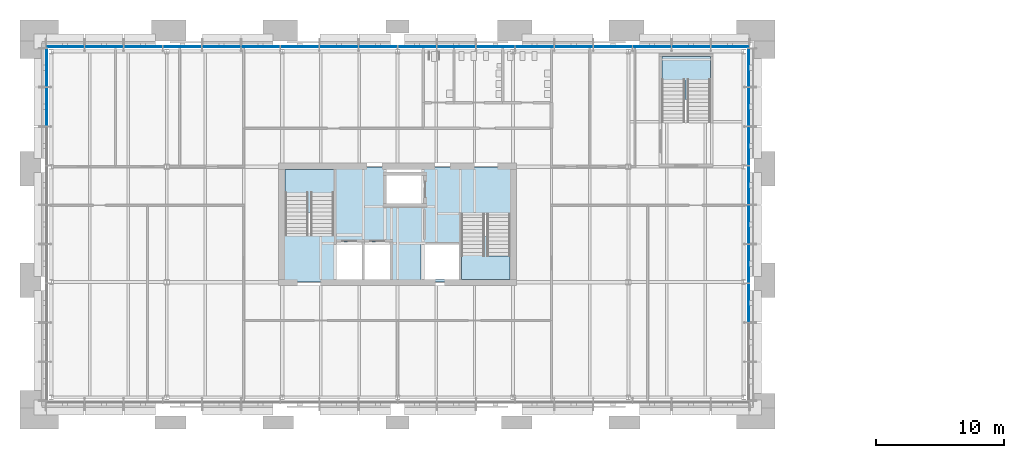
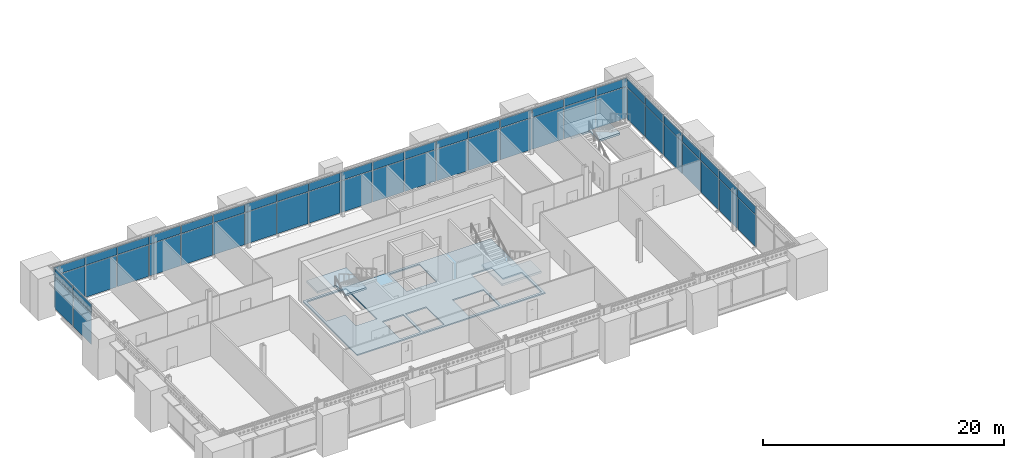
# One storey, part 18 of 37: 54 plates, 4 slabs, 6 elements without a shape of their own.
"""IFC4 building model written with IfcOpenShell, lengths in metres."""

from ifc_helpers import new_model, si_unit, direction, frame, origin, origin_2d, place, context, subcontext, project, spatial, polyline, rectangle, outline, extrude, material, layer, layer_set, type_object, element, aggregate, save


model = new_model("IFC4")

# Units and contexts
model_context = context("Model", 3, precision=1e-05, world=origin(), true_north=direction((0.0, 1.0)))
body_context = subcontext(model_context, "Body", "Model", "MODEL_VIEW")
ifc_project = project(units=[si_unit("LENGTHUNIT", "METRE"), si_unit("AREAUNIT", "SQUARE_METRE"), si_unit("VOLUMEUNIT", "CUBIC_METRE"), si_unit("PLANEANGLEUNIT", "RADIAN"), si_unit("MASSUNIT", "GRAM", prefix="KILO")], contexts=[model_context])

# Site, building, storey
site_placement = place(None, origin())
site = spatial("IfcSite", under=ifc_project, at=site_placement, CompositionType="ELEMENT")
building_placement = place(site_placement, origin())
building = spatial("IfcBuilding", under=site, at=building_placement, Name="Baradari Gate Terminus", CompositionType="ELEMENT")
storey_placement = place(building_placement, frame((0.0, 0.0, 24.300048828125)))
storey = spatial("IfcBuildingStorey", under=building, at=storey_placement, Name="L05", CompositionType="ELEMENT", Elevation=24.300048828125)

# Slab
ifc_material_1 = material(Name="Concrete C35/45", Category="concrete")
ifc_layer_1 = layer(ifc_material_1, 0.1298828125)
ifc_layer_set_1 = layer_set([ifc_layer_1], Name="Concrete C35/45")
slab_type_1 = type_object("IfcSlabType", Name="Composite floor slab SL1 130", PredefinedType="FLOOR", material=ifc_layer_set_1)
slab_1_placement = place(storey_placement, frame((0.0, 0.0, -0.130126953125)))
element("IfcSlab", 1, at=slab_1_placement, inside=storey, type_object=slab_type_1, Name="Core floor CT", PredefinedType="FLOOR", context=body_context, shape_type="SweptSolid", body=[
    extrude(outline(polyline([(27.0, 135.0), (27.0, 126.0), (45.0, 126.0), (45.0, 135.0), (27.0, 135.0)]), holes=[polyline([(44.77490234375, 126.22509765625), (44.77490234375, 129.5048828125), (42.97509765625, 129.5048828125), (42.97509765625, 131.324951171875), (40.97509765625, 131.324951171875), (40.97509765625, 126.22509765625), (44.77490234375, 126.22509765625)]), polyline([(40.77490234375, 128.925048828125), (37.824951171875, 128.925048828125), (37.824951171875, 126.22509765625), (40.77490234375, 126.22509765625), (40.77490234375, 128.925048828125)]), polyline([(38.02490234375, 131.875), (38.02490234375, 134.77490234375), (35.125, 134.77490234375), (35.125, 131.875), (38.02490234375, 131.875)]), polyline([(35.425048828125, 129.125), (33.425048828125, 129.125), (33.425048828125, 126.22509765625), (35.425048828125, 126.22509765625), (35.425048828125, 129.125)]), polyline([(31.22509765625, 129.125), (31.22509765625, 126.22509765625), (33.22509765625, 126.22509765625), (33.22509765625, 129.125), (31.22509765625, 129.125)]), polyline([(27.22509765625, 134.77490234375), (27.22509765625, 131.4951171875), (29.02490234375, 131.4951171875), (29.02490234375, 129.675048828125), (31.02490234375, 129.675048828125), (31.02490234375, 134.77490234375), (27.22509765625, 134.77490234375)])]), origin(), (0.0, 0.0, 1.0), 0.130126953125),
])

# Curtain wall, plates
ifc_material_2 = material(Name="Aluminium 6063-T6", Category="aluminium")
curtain_wall_type = type_object("IfcCurtainWallType", Name="Curtain wall CW-1 block unitised, zone L02-L05", PredefinedType="NOTDEFINED", material=ifc_material_2)
curtain_wall_1_placement = place(storey_placement, origin())
curtain_wall_1 = element("IfcCurtainWall", 2, at=curtain_wall_1_placement, inside=storey, type_object=curtain_wall_type, Name="Curtain wall CW-1 Operations block N face L05", PredefinedType="NOTDEFINED")
ifc_material_3 = material(Name="Insulating glass unit", Category="glass")
ifc_layer_2 = layer(ifc_material_3, 0.030029296875)
ifc_layer_set_2 = layer_set([ifc_layer_2], Name="Insulating glass unit")
plate_type_1 = type_object("IfcPlateType", Name="Curtain wall glazing unit CP-1 30", PredefinedType="CURTAIN_PANEL", material=ifc_layer_set_2)
plate_1_placement = place(storey_placement, frame((10.072265625, 144.3701171875, 0.06494140625), z_axis=(0.0, 0.0, 1.0), x_axis=(1.0, 0.0, 0.0)))
plate_1 = element("IfcPlate", 3, at=plate_1_placement, type_object=plate_type_1, Name="CW-1 panel 1.1", PredefinedType="CURTAIN_PANEL", context=body_context, shape_type="SweptSolid", body=[
    extrude(rectangle(XDim=2.954833984375, YDim=0.030029296875, at=origin_2d()), origin(), (0.0, 0.0, 1.0), 3.202392578125),
])
plate_2_placement = place(storey_placement, frame((13.1083984375, 144.3701171875, 0.06494140625), z_axis=(0.0, 0.0, 1.0), x_axis=(1.0, 0.0, 0.0)))
plate_2 = element("IfcPlate", 4, at=plate_2_placement, type_object=plate_type_1, Name="CW-1 panel 2.1", PredefinedType="CURTAIN_PANEL", context=body_context, shape_type="SweptSolid", body=[
    extrude(rectangle(XDim=2.9873046875, YDim=0.030029296875, at=origin_2d()), origin(), (0.0, 0.0, 1.0), 3.202392578125),
])
plate_3_placement = place(storey_placement, frame((16.16064453125, 144.3701171875, 0.06494140625), z_axis=(0.0, 0.0, 1.0), x_axis=(1.0, 0.0, 0.0)))
plate_3 = element("IfcPlate", 5, at=plate_3_placement, type_object=plate_type_1, Name="CW-1 panel 3.1", PredefinedType="CURTAIN_PANEL", context=body_context, shape_type="SweptSolid", body=[
    extrude(rectangle(XDim=2.9873046875, YDim=0.030029296875, at=origin_2d()), origin(), (0.0, 0.0, 1.0), 3.202392578125),
])
plate_4_placement = place(storey_placement, frame((19.212890625, 144.3701171875, 0.06494140625), z_axis=(0.0, 0.0, 1.0), x_axis=(1.0, 0.0, 0.0)))
plate_4 = element("IfcPlate", 6, at=plate_4_placement, type_object=plate_type_1, Name="CW-1 panel 4.1", PredefinedType="CURTAIN_PANEL", context=body_context, shape_type="SweptSolid", body=[
    extrude(rectangle(XDim=2.9873046875, YDim=0.030029296875, at=origin_2d()), origin(), (0.0, 0.0, 1.0), 3.202392578125),
])
plate_5_placement = place(storey_placement, frame((22.264892578125, 144.3701171875, 0.06494140625), z_axis=(0.0, 0.0, 1.0), x_axis=(1.0, 0.0, 0.0)))
plate_5 = element("IfcPlate", 7, at=plate_5_placement, type_object=plate_type_1, Name="CW-1 panel 5.1", PredefinedType="CURTAIN_PANEL", context=body_context, shape_type="SweptSolid", body=[
    extrude(rectangle(XDim=2.9873046875, YDim=0.030029296875, at=origin_2d()), origin(), (0.0, 0.0, 1.0), 3.202392578125),
])
plate_6_placement = place(storey_placement, frame((25.317138671875, 144.3701171875, 0.06494140625), z_axis=(0.0, 0.0, 1.0), x_axis=(1.0, 0.0, 0.0)))
plate_6 = element("IfcPlate", 8, at=plate_6_placement, type_object=plate_type_1, Name="CW-1 panel 6.1", PredefinedType="CURTAIN_PANEL", context=body_context, shape_type="SweptSolid", body=[
    extrude(rectangle(XDim=2.9873046875, YDim=0.030029296875, at=origin_2d()), origin(), (0.0, 0.0, 1.0), 3.202392578125),
])
plate_7_placement = place(storey_placement, frame((28.369384765625, 144.3701171875, 0.06494140625), z_axis=(0.0, 0.0, 1.0), x_axis=(1.0, 0.0, 0.0)))
plate_7 = element("IfcPlate", 9, at=plate_7_placement, type_object=plate_type_1, Name="CW-1 panel 7.1", PredefinedType="CURTAIN_PANEL", context=body_context, shape_type="SweptSolid", body=[
    extrude(rectangle(XDim=2.9873046875, YDim=0.030029296875, at=origin_2d()), origin(), (0.0, 0.0, 1.0), 3.202392578125),
])
plate_8_placement = place(storey_placement, frame((31.421630859375, 144.3701171875, 0.06494140625), z_axis=(0.0, 0.0, 1.0), x_axis=(1.0, 0.0, 0.0)))
plate_8 = element("IfcPlate", 10, at=plate_8_placement, type_object=plate_type_1, Name="CW-1 panel 8.1", PredefinedType="CURTAIN_PANEL", context=body_context, shape_type="SweptSolid", body=[
    extrude(rectangle(XDim=2.9873046875, YDim=0.030029296875, at=origin_2d()), origin(), (0.0, 0.0, 1.0), 3.202392578125),
])
plate_9_placement = place(storey_placement, frame((34.473876953125, 144.3701171875, 0.06494140625), z_axis=(0.0, 0.0, 1.0), x_axis=(1.0, 0.0, 0.0)))
plate_9 = element("IfcPlate", 11, at=plate_9_placement, type_object=plate_type_1, Name="CW-1 panel 9.1", PredefinedType="CURTAIN_PANEL", context=body_context, shape_type="SweptSolid", body=[
    extrude(rectangle(XDim=2.9873046875, YDim=0.030029296875, at=origin_2d()), origin(), (0.0, 0.0, 1.0), 3.202392578125),
])
plate_10_placement = place(storey_placement, frame((37.526123046875, 144.3701171875, 0.06494140625), z_axis=(0.0, 0.0, 1.0), x_axis=(1.0, 0.0, 0.0)))
plate_10 = element("IfcPlate", 12, at=plate_10_placement, type_object=plate_type_1, Name="CW-1 panel 10.1", PredefinedType="CURTAIN_PANEL", context=body_context, shape_type="SweptSolid", body=[
    extrude(rectangle(XDim=2.9873046875, YDim=0.030029296875, at=origin_2d()), origin(), (0.0, 0.0, 1.0), 3.202392578125),
])
plate_11_placement = place(storey_placement, frame((40.578369140625, 144.3701171875, 0.06494140625), z_axis=(0.0, 0.0, 1.0), x_axis=(1.0, 0.0, 0.0)))
plate_11 = element("IfcPlate", 13, at=plate_11_placement, type_object=plate_type_1, Name="CW-1 panel 11.1", PredefinedType="CURTAIN_PANEL", context=body_context, shape_type="SweptSolid", body=[
    extrude(rectangle(XDim=2.9873046875, YDim=0.030029296875, at=origin_2d()), origin(), (0.0, 0.0, 1.0), 3.202392578125),
])
plate_12_placement = place(storey_placement, frame((43.630615234375, 144.3701171875, 0.06494140625), z_axis=(0.0, 0.0, 1.0), x_axis=(1.0, 0.0, 0.0)))
plate_12 = element("IfcPlate", 14, at=plate_12_placement, type_object=plate_type_1, Name="CW-1 panel 12.1", PredefinedType="CURTAIN_PANEL", context=body_context, shape_type="SweptSolid", body=[
    extrude(rectangle(XDim=2.9873046875, YDim=0.030029296875, at=origin_2d()), origin(), (0.0, 0.0, 1.0), 3.202392578125),
])
plate_13_placement = place(storey_placement, frame((46.682861328125, 144.3701171875, 0.06494140625), z_axis=(0.0, 0.0, 1.0), x_axis=(1.0, 0.0, 0.0)))
plate_13 = element("IfcPlate", 15, at=plate_13_placement, type_object=plate_type_1, Name="CW-1 panel 13.1", PredefinedType="CURTAIN_PANEL", context=body_context, shape_type="SweptSolid", body=[
    extrude(rectangle(XDim=2.9873046875, YDim=0.030029296875, at=origin_2d()), origin(), (0.0, 0.0, 1.0), 3.202392578125),
])
plate_14_placement = place(storey_placement, frame((49.735107421875, 144.3701171875, 0.06494140625), z_axis=(0.0, 0.0, 1.0), x_axis=(1.0, 0.0, 0.0)))
plate_14 = element("IfcPlate", 16, at=plate_14_placement, type_object=plate_type_1, Name="CW-1 panel 14.1", PredefinedType="CURTAIN_PANEL", context=body_context, shape_type="SweptSolid", body=[
    extrude(rectangle(XDim=2.9873046875, YDim=0.030029296875, at=origin_2d()), origin(), (0.0, 0.0, 1.0), 3.202392578125),
])
plate_15_placement = place(storey_placement, frame((52.787109375, 144.3701171875, 0.06494140625), z_axis=(0.0, 0.0, 1.0), x_axis=(1.0, 0.0, 0.0)))
plate_15 = element("IfcPlate", 17, at=plate_15_placement, type_object=plate_type_1, Name="CW-1 panel 15.1", PredefinedType="CURTAIN_PANEL", context=body_context, shape_type="SweptSolid", body=[
    extrude(rectangle(XDim=2.9873046875, YDim=0.030029296875, at=origin_2d()), origin(), (0.0, 0.0, 1.0), 3.202392578125),
])
plate_16_placement = place(storey_placement, frame((55.83935546875, 144.3701171875, 0.06494140625), z_axis=(0.0, 0.0, 1.0), x_axis=(1.0, 0.0, 0.0)))
plate_16 = element("IfcPlate", 18, at=plate_16_placement, type_object=plate_type_1, Name="CW-1 panel 16.1", PredefinedType="CURTAIN_PANEL", context=body_context, shape_type="SweptSolid", body=[
    extrude(rectangle(XDim=2.9873046875, YDim=0.030029296875, at=origin_2d()), origin(), (0.0, 0.0, 1.0), 3.202392578125),
])
plate_17_placement = place(storey_placement, frame((58.8916015625, 144.3701171875, 0.06494140625), z_axis=(0.0, 0.0, 1.0), x_axis=(1.0, 0.0, 0.0)))
plate_17 = element("IfcPlate", 19, at=plate_17_placement, type_object=plate_type_1, Name="CW-1 panel 17.1", PredefinedType="CURTAIN_PANEL", context=body_context, shape_type="SweptSolid", body=[
    extrude(rectangle(XDim=2.9873046875, YDim=0.030029296875, at=origin_2d()), origin(), (0.0, 0.0, 1.0), 3.202392578125),
])
plate_18_placement = place(storey_placement, frame((61.927734375, 144.3701171875, 0.06494140625), z_axis=(0.0, 0.0, 1.0), x_axis=(1.0, 0.0, 0.0)))
plate_18 = element("IfcPlate", 20, at=plate_18_placement, type_object=plate_type_1, Name="CW-1 panel 18.1", PredefinedType="CURTAIN_PANEL", context=body_context, shape_type="SweptSolid", body=[
    extrude(rectangle(XDim=2.954833984375, YDim=0.030029296875, at=origin_2d()), origin(), (0.0, 0.0, 1.0), 3.202392578125),
])

curtain_wall_2_placement = place(storey_placement, origin())
curtain_wall_2 = element("IfcCurtainWall", 21, at=curtain_wall_2_placement, inside=storey, type_object=curtain_wall_type, Name="Curtain wall CW-1 Operations block W face L05", PredefinedType="NOTDEFINED")
plate_19_placement = place(storey_placement, frame((8.6298828125, 139.679931640625, 0.06494140625), z_axis=(0.0, 0.0, 1.0), x_axis=(0.0, 1.0, 0.0)))
plate_19 = element("IfcPlate", 22, at=plate_19_placement, type_object=plate_type_1, Name="CW-1 panel 8.1", PredefinedType="CURTAIN_PANEL", context=body_context, shape_type="SweptSolid", body=[
    extrude(rectangle(XDim=2.9951171875, YDim=0.030029296875, at=origin_2d()), origin(), (0.0, 0.0, 1.0), 3.202392578125),
])
plate_20_placement = place(storey_placement, frame((8.6298828125, 142.7236328125, 0.06494140625), z_axis=(0.0, 0.0, 1.0), x_axis=(0.0, 1.0, 0.0)))
plate_20 = element("IfcPlate", 23, at=plate_20_placement, type_object=plate_type_1, Name="CW-1 panel 9.1", PredefinedType="CURTAIN_PANEL", context=body_context, shape_type="SweptSolid", body=[
    extrude(rectangle(XDim=2.96240234375, YDim=0.030029296875, at=origin_2d()), origin(), (0.0, 0.0, 1.0), 3.202392578125),
])

curtain_wall_3_placement = place(storey_placement, origin())
curtain_wall_3 = element("IfcCurtainWall", 24, at=curtain_wall_3_placement, inside=storey, type_object=curtain_wall_type, Name="Curtain wall CW-1 Operations block E face L05", PredefinedType="NOTDEFINED")
plate_21_placement = place(storey_placement, frame((63.3701171875, 124.3798828125, 0.06494140625), z_axis=(0.0, 0.0, 1.0), x_axis=(0.0, 1.0, 0.0)))
plate_21 = element("IfcPlate", 25, at=plate_21_placement, type_object=plate_type_1, Name="CW-1 panel 3.1", PredefinedType="CURTAIN_PANEL", context=body_context, shape_type="SweptSolid", body=[
    extrude(rectangle(XDim=2.9951171875, YDim=0.030029296875, at=origin_2d()), origin(), (0.0, 0.0, 1.0), 3.202392578125),
])
plate_22_placement = place(storey_placement, frame((63.3701171875, 127.43994140625, 0.06494140625), z_axis=(0.0, 0.0, 1.0), x_axis=(0.0, 1.0, 0.0)))
plate_22 = element("IfcPlate", 26, at=plate_22_placement, type_object=plate_type_1, Name="CW-1 panel 4.1", PredefinedType="CURTAIN_PANEL", context=body_context, shape_type="SweptSolid", body=[
    extrude(rectangle(XDim=2.9951171875, YDim=0.030029296875, at=origin_2d()), origin(), (0.0, 0.0, 1.0), 3.202392578125),
])
plate_23_placement = place(storey_placement, frame((63.3701171875, 130.5, 0.06494140625), z_axis=(0.0, 0.0, 1.0), x_axis=(0.0, 1.0, 0.0)))
plate_23 = element("IfcPlate", 27, at=plate_23_placement, type_object=plate_type_1, Name="CW-1 panel 5.1", PredefinedType="CURTAIN_PANEL", context=body_context, shape_type="SweptSolid", body=[
    extrude(rectangle(XDim=2.9951171875, YDim=0.030029296875, at=origin_2d()), origin(), (0.0, 0.0, 1.0), 3.202392578125),
])
plate_24_placement = place(storey_placement, frame((63.3701171875, 133.56005859375, 0.06494140625), z_axis=(0.0, 0.0, 1.0), x_axis=(0.0, 1.0, 0.0)))
plate_24 = element("IfcPlate", 28, at=plate_24_placement, type_object=plate_type_1, Name="CW-1 panel 6.1", PredefinedType="CURTAIN_PANEL", context=body_context, shape_type="SweptSolid", body=[
    extrude(rectangle(XDim=2.9951171875, YDim=0.030029296875, at=origin_2d()), origin(), (0.0, 0.0, 1.0), 3.202392578125),
])
plate_25_placement = place(storey_placement, frame((63.3701171875, 136.6201171875, 0.06494140625), z_axis=(0.0, 0.0, 1.0), x_axis=(0.0, 1.0, 0.0)))
plate_25 = element("IfcPlate", 29, at=plate_25_placement, type_object=plate_type_1, Name="CW-1 panel 7.1", PredefinedType="CURTAIN_PANEL", context=body_context, shape_type="SweptSolid", body=[
    extrude(rectangle(XDim=2.9951171875, YDim=0.030029296875, at=origin_2d()), origin(), (0.0, 0.0, 1.0), 3.202392578125),
])
plate_26_placement = place(storey_placement, frame((63.3701171875, 139.679931640625, 0.06494140625), z_axis=(0.0, 0.0, 1.0), x_axis=(0.0, 1.0, 0.0)))
plate_26 = element("IfcPlate", 30, at=plate_26_placement, type_object=plate_type_1, Name="CW-1 panel 8.1", PredefinedType="CURTAIN_PANEL", context=body_context, shape_type="SweptSolid", body=[
    extrude(rectangle(XDim=2.9951171875, YDim=0.030029296875, at=origin_2d()), origin(), (0.0, 0.0, 1.0), 3.202392578125),
])
plate_27_placement = place(storey_placement, frame((63.3701171875, 142.7236328125, 0.06494140625), z_axis=(0.0, 0.0, 1.0), x_axis=(0.0, 1.0, 0.0)))
plate_27 = element("IfcPlate", 31, at=plate_27_placement, type_object=plate_type_1, Name="CW-1 panel 9.1", PredefinedType="CURTAIN_PANEL", context=body_context, shape_type="SweptSolid", body=[
    extrude(rectangle(XDim=2.96240234375, YDim=0.030029296875, at=origin_2d()), origin(), (0.0, 0.0, 1.0), 3.202392578125),
])

# Plate
ifc_material_4 = material(Name="Back-painted glass", Category="glass")
ifc_layer_3 = layer(ifc_material_4, 0.070068359375)
ifc_layer_set_3 = layer_set([ifc_layer_3], Name="Back-painted glass")
plate_type_2 = type_object("IfcPlateType", Name="Curtain wall spandrel panel CP-S1 70", PredefinedType="CURTAIN_PANEL", material=ifc_layer_set_3)
plate_28_placement = place(storey_placement, frame((10.072265625, 144.3701171875, 3.33251953125), z_axis=(0.0, 0.0, 1.0), x_axis=(1.0, 0.0, 0.0)))
plate_28 = element("IfcPlate", 32, at=plate_28_placement, type_object=plate_type_2, Name="CW-1 spandrel panel 1.2", PredefinedType="CURTAIN_PANEL", context=body_context, shape_type="SweptSolid", body=[
    extrude(rectangle(XDim=2.954833984375, YDim=0.070068359375, at=origin_2d()), origin(), (0.0, 0.0, 1.0), 0.802490234375),
])

plate_29_placement = place(storey_placement, frame((13.1083984375, 144.3701171875, 3.33251953125), z_axis=(0.0, 0.0, 1.0), x_axis=(1.0, 0.0, 0.0)))
plate_29 = element("IfcPlate", 33, at=plate_29_placement, type_object=plate_type_2, Name="CW-1 spandrel panel 2.2", PredefinedType="CURTAIN_PANEL", context=body_context, shape_type="SweptSolid", body=[
    extrude(rectangle(XDim=2.9873046875, YDim=0.070068359375, at=origin_2d()), origin(), (0.0, 0.0, 1.0), 0.802490234375),
])

plate_30_placement = place(storey_placement, frame((16.16064453125, 144.3701171875, 3.33251953125), z_axis=(0.0, 0.0, 1.0), x_axis=(1.0, 0.0, 0.0)))
plate_30 = element("IfcPlate", 34, at=plate_30_placement, type_object=plate_type_2, Name="CW-1 spandrel panel 3.2", PredefinedType="CURTAIN_PANEL", context=body_context, shape_type="SweptSolid", body=[
    extrude(rectangle(XDim=2.9873046875, YDim=0.070068359375, at=origin_2d()), origin(), (0.0, 0.0, 1.0), 0.802490234375),
])

plate_31_placement = place(storey_placement, frame((19.212890625, 144.3701171875, 3.33251953125), z_axis=(0.0, 0.0, 1.0), x_axis=(1.0, 0.0, 0.0)))
plate_31 = element("IfcPlate", 35, at=plate_31_placement, type_object=plate_type_2, Name="CW-1 spandrel panel 4.2", PredefinedType="CURTAIN_PANEL", context=body_context, shape_type="SweptSolid", body=[
    extrude(rectangle(XDim=2.9873046875, YDim=0.070068359375, at=origin_2d()), origin(), (0.0, 0.0, 1.0), 0.802490234375),
])

plate_32_placement = place(storey_placement, frame((22.264892578125, 144.3701171875, 3.33251953125), z_axis=(0.0, 0.0, 1.0), x_axis=(1.0, 0.0, 0.0)))
plate_32 = element("IfcPlate", 36, at=plate_32_placement, type_object=plate_type_2, Name="CW-1 spandrel panel 5.2", PredefinedType="CURTAIN_PANEL", context=body_context, shape_type="SweptSolid", body=[
    extrude(rectangle(XDim=2.9873046875, YDim=0.070068359375, at=origin_2d()), origin(), (0.0, 0.0, 1.0), 0.802490234375),
])

plate_33_placement = place(storey_placement, frame((25.317138671875, 144.3701171875, 3.33251953125), z_axis=(0.0, 0.0, 1.0), x_axis=(1.0, 0.0, 0.0)))
plate_33 = element("IfcPlate", 37, at=plate_33_placement, type_object=plate_type_2, Name="CW-1 spandrel panel 6.2", PredefinedType="CURTAIN_PANEL", context=body_context, shape_type="SweptSolid", body=[
    extrude(rectangle(XDim=2.9873046875, YDim=0.070068359375, at=origin_2d()), origin(), (0.0, 0.0, 1.0), 0.802490234375),
])

plate_34_placement = place(storey_placement, frame((28.369384765625, 144.3701171875, 3.33251953125), z_axis=(0.0, 0.0, 1.0), x_axis=(1.0, 0.0, 0.0)))
plate_34 = element("IfcPlate", 38, at=plate_34_placement, type_object=plate_type_2, Name="CW-1 spandrel panel 7.2", PredefinedType="CURTAIN_PANEL", context=body_context, shape_type="SweptSolid", body=[
    extrude(rectangle(XDim=2.9873046875, YDim=0.070068359375, at=origin_2d()), origin(), (0.0, 0.0, 1.0), 0.802490234375),
])

plate_35_placement = place(storey_placement, frame((31.421630859375, 144.3701171875, 3.33251953125), z_axis=(0.0, 0.0, 1.0), x_axis=(1.0, 0.0, 0.0)))
plate_35 = element("IfcPlate", 39, at=plate_35_placement, type_object=plate_type_2, Name="CW-1 spandrel panel 8.2", PredefinedType="CURTAIN_PANEL", context=body_context, shape_type="SweptSolid", body=[
    extrude(rectangle(XDim=2.9873046875, YDim=0.070068359375, at=origin_2d()), origin(), (0.0, 0.0, 1.0), 0.802490234375),
])

plate_36_placement = place(storey_placement, frame((34.473876953125, 144.3701171875, 3.33251953125), z_axis=(0.0, 0.0, 1.0), x_axis=(1.0, 0.0, 0.0)))
plate_36 = element("IfcPlate", 40, at=plate_36_placement, type_object=plate_type_2, Name="CW-1 spandrel panel 9.2", PredefinedType="CURTAIN_PANEL", context=body_context, shape_type="SweptSolid", body=[
    extrude(rectangle(XDim=2.9873046875, YDim=0.070068359375, at=origin_2d()), origin(), (0.0, 0.0, 1.0), 0.802490234375),
])

plate_37_placement = place(storey_placement, frame((37.526123046875, 144.3701171875, 3.33251953125), z_axis=(0.0, 0.0, 1.0), x_axis=(1.0, 0.0, 0.0)))
plate_37 = element("IfcPlate", 41, at=plate_37_placement, type_object=plate_type_2, Name="CW-1 spandrel panel 10.2", PredefinedType="CURTAIN_PANEL", context=body_context, shape_type="SweptSolid", body=[
    extrude(rectangle(XDim=2.9873046875, YDim=0.070068359375, at=origin_2d()), origin(), (0.0, 0.0, 1.0), 0.802490234375),
])

plate_38_placement = place(storey_placement, frame((40.578369140625, 144.3701171875, 3.33251953125), z_axis=(0.0, 0.0, 1.0), x_axis=(1.0, 0.0, 0.0)))
plate_38 = element("IfcPlate", 42, at=plate_38_placement, type_object=plate_type_2, Name="CW-1 spandrel panel 11.2", PredefinedType="CURTAIN_PANEL", context=body_context, shape_type="SweptSolid", body=[
    extrude(rectangle(XDim=2.9873046875, YDim=0.070068359375, at=origin_2d()), origin(), (0.0, 0.0, 1.0), 0.802490234375),
])

plate_39_placement = place(storey_placement, frame((43.630615234375, 144.3701171875, 3.33251953125), z_axis=(0.0, 0.0, 1.0), x_axis=(1.0, 0.0, 0.0)))
plate_39 = element("IfcPlate", 43, at=plate_39_placement, type_object=plate_type_2, Name="CW-1 spandrel panel 12.2", PredefinedType="CURTAIN_PANEL", context=body_context, shape_type="SweptSolid", body=[
    extrude(rectangle(XDim=2.9873046875, YDim=0.070068359375, at=origin_2d()), origin(), (0.0, 0.0, 1.0), 0.802490234375),
])

plate_40_placement = place(storey_placement, frame((46.682861328125, 144.3701171875, 3.33251953125), z_axis=(0.0, 0.0, 1.0), x_axis=(1.0, 0.0, 0.0)))
plate_40 = element("IfcPlate", 44, at=plate_40_placement, type_object=plate_type_2, Name="CW-1 spandrel panel 13.2", PredefinedType="CURTAIN_PANEL", context=body_context, shape_type="SweptSolid", body=[
    extrude(rectangle(XDim=2.9873046875, YDim=0.070068359375, at=origin_2d()), origin(), (0.0, 0.0, 1.0), 0.802490234375),
])

plate_41_placement = place(storey_placement, frame((49.735107421875, 144.3701171875, 3.33251953125), z_axis=(0.0, 0.0, 1.0), x_axis=(1.0, 0.0, 0.0)))
plate_41 = element("IfcPlate", 45, at=plate_41_placement, type_object=plate_type_2, Name="CW-1 spandrel panel 14.2", PredefinedType="CURTAIN_PANEL", context=body_context, shape_type="SweptSolid", body=[
    extrude(rectangle(XDim=2.9873046875, YDim=0.070068359375, at=origin_2d()), origin(), (0.0, 0.0, 1.0), 0.802490234375),
])

plate_42_placement = place(storey_placement, frame((52.787109375, 144.3701171875, 3.33251953125), z_axis=(0.0, 0.0, 1.0), x_axis=(1.0, 0.0, 0.0)))
plate_42 = element("IfcPlate", 46, at=plate_42_placement, type_object=plate_type_2, Name="CW-1 spandrel panel 15.2", PredefinedType="CURTAIN_PANEL", context=body_context, shape_type="SweptSolid", body=[
    extrude(rectangle(XDim=2.9873046875, YDim=0.070068359375, at=origin_2d()), origin(), (0.0, 0.0, 1.0), 0.802490234375),
])

plate_43_placement = place(storey_placement, frame((55.83935546875, 144.3701171875, 3.33251953125), z_axis=(0.0, 0.0, 1.0), x_axis=(1.0, 0.0, 0.0)))
plate_43 = element("IfcPlate", 47, at=plate_43_placement, type_object=plate_type_2, Name="CW-1 spandrel panel 16.2", PredefinedType="CURTAIN_PANEL", context=body_context, shape_type="SweptSolid", body=[
    extrude(rectangle(XDim=2.9873046875, YDim=0.070068359375, at=origin_2d()), origin(), (0.0, 0.0, 1.0), 0.802490234375),
])

plate_44_placement = place(storey_placement, frame((58.8916015625, 144.3701171875, 3.33251953125), z_axis=(0.0, 0.0, 1.0), x_axis=(1.0, 0.0, 0.0)))
plate_44 = element("IfcPlate", 48, at=plate_44_placement, type_object=plate_type_2, Name="CW-1 spandrel panel 17.2", PredefinedType="CURTAIN_PANEL", context=body_context, shape_type="SweptSolid", body=[
    extrude(rectangle(XDim=2.9873046875, YDim=0.070068359375, at=origin_2d()), origin(), (0.0, 0.0, 1.0), 0.802490234375),
])

plate_45_placement = place(storey_placement, frame((61.927734375, 144.3701171875, 3.33251953125), z_axis=(0.0, 0.0, 1.0), x_axis=(1.0, 0.0, 0.0)))
plate_45 = element("IfcPlate", 49, at=plate_45_placement, type_object=plate_type_2, Name="CW-1 spandrel panel 18.2", PredefinedType="CURTAIN_PANEL", context=body_context, shape_type="SweptSolid", body=[
    extrude(rectangle(XDim=2.954833984375, YDim=0.070068359375, at=origin_2d()), origin(), (0.0, 0.0, 1.0), 0.802490234375),
])

aggregate(curtain_wall_1, [plate_1, plate_28, plate_2, plate_29, plate_3, plate_30, plate_4, plate_31, plate_5, plate_32, plate_6, plate_33, plate_7, plate_34, plate_8, plate_35, plate_9, plate_36, plate_10, plate_37, plate_11, plate_38, plate_12, plate_39, plate_13, plate_40, plate_14, plate_41, plate_15, plate_42, plate_16, plate_43, plate_17, plate_44, plate_18, plate_45])

plate_46_placement = place(storey_placement, frame((8.6298828125, 139.679931640625, 3.33251953125), z_axis=(0.0, 0.0, 1.0), x_axis=(0.0, 1.0, 0.0)))
plate_46 = element("IfcPlate", 50, at=plate_46_placement, type_object=plate_type_2, Name="CW-1 spandrel panel 8.2", PredefinedType="CURTAIN_PANEL", context=body_context, shape_type="SweptSolid", body=[
    extrude(rectangle(XDim=2.9951171875, YDim=0.070068359375, at=origin_2d()), origin(), (0.0, 0.0, 1.0), 0.802490234375),
])

plate_47_placement = place(storey_placement, frame((8.6298828125, 142.7236328125, 3.33251953125), z_axis=(0.0, 0.0, 1.0), x_axis=(0.0, 1.0, 0.0)))
plate_47 = element("IfcPlate", 51, at=plate_47_placement, type_object=plate_type_2, Name="CW-1 spandrel panel 9.2", PredefinedType="CURTAIN_PANEL", context=body_context, shape_type="SweptSolid", body=[
    extrude(rectangle(XDim=2.96240234375, YDim=0.070068359375, at=origin_2d()), origin(), (0.0, 0.0, 1.0), 0.802490234375),
])

aggregate(curtain_wall_2, [plate_19, plate_46, plate_20, plate_47])

plate_48_placement = place(storey_placement, frame((63.3701171875, 124.3798828125, 3.33251953125), z_axis=(0.0, 0.0, 1.0), x_axis=(0.0, 1.0, 0.0)))
plate_48 = element("IfcPlate", 52, at=plate_48_placement, type_object=plate_type_2, Name="CW-1 spandrel panel 3.2", PredefinedType="CURTAIN_PANEL", context=body_context, shape_type="SweptSolid", body=[
    extrude(rectangle(XDim=2.9951171875, YDim=0.070068359375, at=origin_2d()), origin(), (0.0, 0.0, 1.0), 0.802490234375),
])

plate_49_placement = place(storey_placement, frame((63.3701171875, 127.43994140625, 3.33251953125), z_axis=(0.0, 0.0, 1.0), x_axis=(0.0, 1.0, 0.0)))
plate_49 = element("IfcPlate", 53, at=plate_49_placement, type_object=plate_type_2, Name="CW-1 spandrel panel 4.2", PredefinedType="CURTAIN_PANEL", context=body_context, shape_type="SweptSolid", body=[
    extrude(rectangle(XDim=2.9951171875, YDim=0.070068359375, at=origin_2d()), origin(), (0.0, 0.0, 1.0), 0.802490234375),
])

plate_50_placement = place(storey_placement, frame((63.3701171875, 130.5, 3.33251953125), z_axis=(0.0, 0.0, 1.0), x_axis=(0.0, 1.0, 0.0)))
plate_50 = element("IfcPlate", 54, at=plate_50_placement, type_object=plate_type_2, Name="CW-1 spandrel panel 5.2", PredefinedType="CURTAIN_PANEL", context=body_context, shape_type="SweptSolid", body=[
    extrude(rectangle(XDim=2.9951171875, YDim=0.070068359375, at=origin_2d()), origin(), (0.0, 0.0, 1.0), 0.802490234375),
])

plate_51_placement = place(storey_placement, frame((63.3701171875, 133.56005859375, 3.33251953125), z_axis=(0.0, 0.0, 1.0), x_axis=(0.0, 1.0, 0.0)))
plate_51 = element("IfcPlate", 55, at=plate_51_placement, type_object=plate_type_2, Name="CW-1 spandrel panel 6.2", PredefinedType="CURTAIN_PANEL", context=body_context, shape_type="SweptSolid", body=[
    extrude(rectangle(XDim=2.9951171875, YDim=0.070068359375, at=origin_2d()), origin(), (0.0, 0.0, 1.0), 0.802490234375),
])

plate_52_placement = place(storey_placement, frame((63.3701171875, 136.6201171875, 3.33251953125), z_axis=(0.0, 0.0, 1.0), x_axis=(0.0, 1.0, 0.0)))
plate_52 = element("IfcPlate", 56, at=plate_52_placement, type_object=plate_type_2, Name="CW-1 spandrel panel 7.2", PredefinedType="CURTAIN_PANEL", context=body_context, shape_type="SweptSolid", body=[
    extrude(rectangle(XDim=2.9951171875, YDim=0.070068359375, at=origin_2d()), origin(), (0.0, 0.0, 1.0), 0.802490234375),
])

plate_53_placement = place(storey_placement, frame((63.3701171875, 139.679931640625, 3.33251953125), z_axis=(0.0, 0.0, 1.0), x_axis=(0.0, 1.0, 0.0)))
plate_53 = element("IfcPlate", 57, at=plate_53_placement, type_object=plate_type_2, Name="CW-1 spandrel panel 8.2", PredefinedType="CURTAIN_PANEL", context=body_context, shape_type="SweptSolid", body=[
    extrude(rectangle(XDim=2.9951171875, YDim=0.070068359375, at=origin_2d()), origin(), (0.0, 0.0, 1.0), 0.802490234375),
])

plate_54_placement = place(storey_placement, frame((63.3701171875, 142.7236328125, 3.33251953125), z_axis=(0.0, 0.0, 1.0), x_axis=(0.0, 1.0, 0.0)))
plate_54 = element("IfcPlate", 58, at=plate_54_placement, type_object=plate_type_2, Name="CW-1 spandrel panel 9.2", PredefinedType="CURTAIN_PANEL", context=body_context, shape_type="SweptSolid", body=[
    extrude(rectangle(XDim=2.96240234375, YDim=0.070068359375, at=origin_2d()), origin(), (0.0, 0.0, 1.0), 0.802490234375),
])

aggregate(curtain_wall_3, [plate_21, plate_48, plate_22, plate_49, plate_23, plate_50, plate_24, plate_51, plate_25, plate_52, plate_26, plate_53, plate_27, plate_54])

# Stair, slab
ifc_material_5 = material(Name="Concrete C32/40", Category="concrete")
stair_type_1 = type_object("IfcStairType", Name="Exit stair ST-T1 riser 175 x 1800", PredefinedType="HALF_TURN_STAIR", material=ifc_material_5)
stair_1_placement = place(storey_placement, origin())
stair_1 = element("IfcStair", 59, at=stair_1_placement, inside=storey, type_object=stair_type_1, Name="Stair ST-T1 L05 to L06", PredefinedType="HALF_TURN_STAIR")
ifc_material_6 = material(Name="Concrete C32/40", Category="concrete")
ifc_layer_4 = layer(ifc_material_6, 0.199951171875)
ifc_layer_set_4 = layer_set([ifc_layer_4], Name="Concrete C32/40")
slab_type_2 = type_object("IfcSlabType", Name="Stair landing LS-1 200", PredefinedType="LANDING", material=ifc_layer_set_4)
slab_2_placement = place(storey_placement, frame((0.0, 0.0, 1.89990234375)))
slab_2 = element("IfcSlab", 60, at=slab_2_placement, type_object=slab_type_2, Name="ST-T1 landing 1", PredefinedType="LANDING", context=body_context, shape_type="SweptSolid", body=[
    extrude(outline(polyline([(27.22509765625, 134.77490234375), (27.22509765625, 132.955078125), (29.02490234375, 132.955078125), (29.02490234375, 131.43994140625), (29.22509765625, 131.43994140625), (31.02490234375, 131.43994140625), (31.02490234375, 134.77490234375), (27.22509765625, 134.77490234375)])), origin(), (0.0, 0.0, 1.0), 0.199951171875),
])
aggregate(stair_1, [slab_2])

ifc_material_7 = material(Name="Concrete C32/40", Category="concrete")
stair_type_2 = type_object("IfcStairType", Name="Exit stair ST-T2 riser 175 x 1800", PredefinedType="HALF_TURN_STAIR", material=ifc_material_7)
stair_2_placement = place(storey_placement, origin())
stair_2 = element("IfcStair", 61, at=stair_2_placement, inside=storey, type_object=stair_type_2, Name="Stair ST-T2 L05 to L06", PredefinedType="HALF_TURN_STAIR")
slab_3_placement = place(storey_placement, frame((0.0, 0.0, 1.89990234375)))
slab_3 = element("IfcSlab", 62, at=slab_3_placement, type_object=slab_type_2, Name="ST-T2 landing 1", PredefinedType="LANDING", context=body_context, shape_type="SweptSolid", body=[
    extrude(outline(polyline([(44.77490234375, 126.22509765625), (44.77490234375, 128.044921875), (42.97509765625, 128.044921875), (42.97509765625, 129.56005859375), (42.77490234375, 129.56005859375), (40.97509765625, 129.56005859375), (40.97509765625, 126.22509765625), (44.77490234375, 126.22509765625)])), origin(), (0.0, 0.0, 1.0), 0.199951171875),
])
aggregate(stair_2, [slab_3])

ifc_material_8 = material(Name="Concrete C32/40", Category="concrete")
stair_type_3 = type_object("IfcStairType", Name="Exit stair ST-T3 riser 175 x 1800", PredefinedType="HALF_TURN_STAIR", material=ifc_material_8)
stair_3_placement = place(storey_placement, origin())
stair_3 = element("IfcStair", 63, at=stair_3_placement, inside=storey, type_object=stair_type_3, Name="Stair ST-T3 L05 to L06", PredefinedType="HALF_TURN_STAIR")
slab_4_placement = place(storey_placement, frame((0.0, 0.0, 1.89990234375)))
slab_4 = element("IfcSlab", 64, at=slab_4_placement, type_object=slab_type_2, Name="ST-T3 landing 1", PredefinedType="LANDING", context=body_context, shape_type="SweptSolid", body=[
    extrude(outline(polyline([(56.60009765625, 143.60009765625), (56.60009765625, 141.780029296875), (58.39990234375, 141.780029296875), (58.39990234375, 140.264892578125), (58.60009765625, 140.264892578125), (60.39990234375, 140.264892578125), (60.39990234375, 143.60009765625), (56.60009765625, 143.60009765625)])), origin(), (0.0, 0.0, 1.0), 0.199951171875),
])
aggregate(stair_3, [slab_4])

save(model, "model.ifc")
